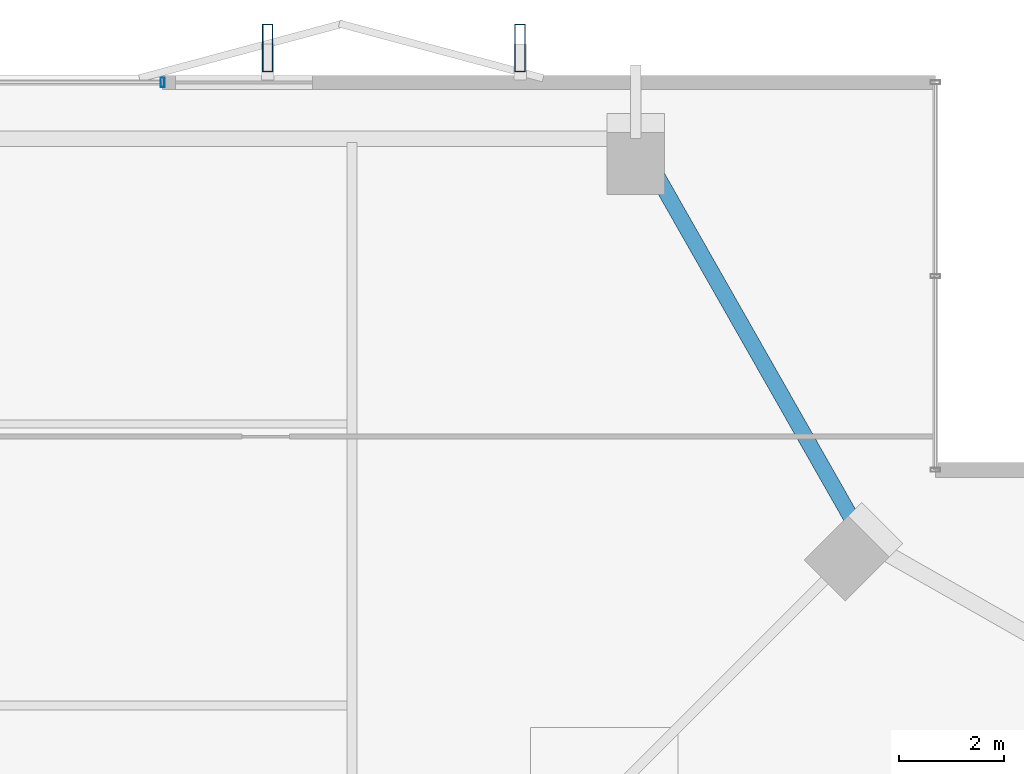
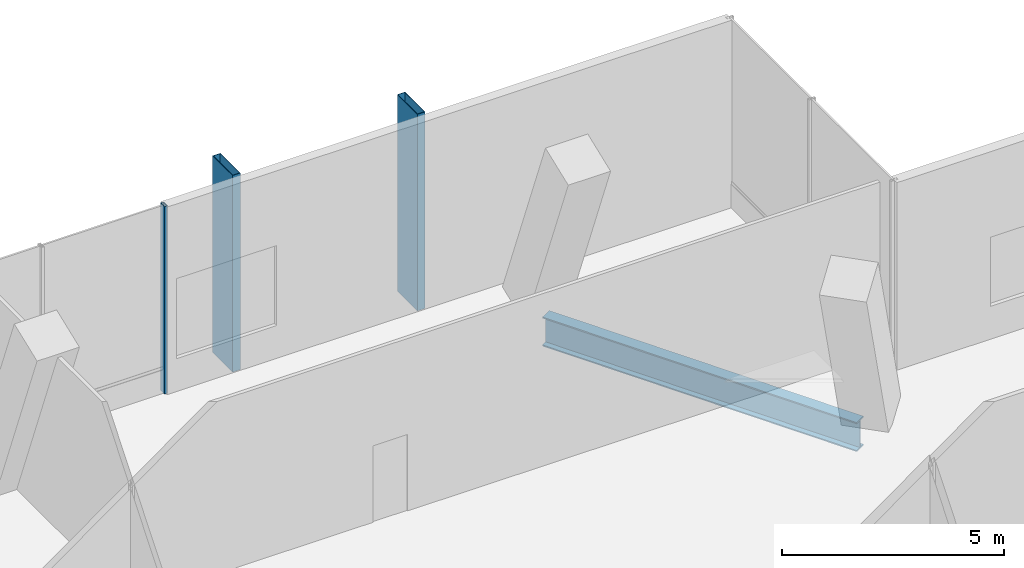
# One storey, part 26 of 33: 3 members, 1 beam, 1 element without a shape of its own.
"""IFC4 building model written with IfcOpenShell, lengths in metres."""

from ifc_helpers import new_model, si_unit, direction, frame, origin, origin_2d, place, context, subcontext, project, spatial, hollow_rectangle, i_section, extrude, material, layer, layer_set, material_profile, profile_set, type_object, element, aggregate, save


model = new_model("IFC4")

# Units and contexts
model_context = context("Model", 3, precision=1e-05, world=origin(), true_north=direction((0.0, 1.0)))
body_context = subcontext(model_context, "Body", "Model", "MODEL_VIEW")
ifc_project = project(units=[si_unit("LENGTHUNIT", "METRE"), si_unit("AREAUNIT", "SQUARE_METRE"), si_unit("VOLUMEUNIT", "CUBIC_METRE"), si_unit("PLANEANGLEUNIT", "RADIAN"), si_unit("MASSUNIT", "GRAM", prefix="KILO")], contexts=[model_context])

# Site, building, storey
site_placement = place(None, origin())
site = spatial("IfcSite", under=ifc_project, at=site_placement, CompositionType="ELEMENT")
building_placement = place(site_placement, origin())
building = spatial("IfcBuilding", under=site, at=building_placement, Name="Belovzor Exchange Tower", CompositionType="ELEMENT")
storey_placement = place(building_placement, frame((0.0, 0.0, 241.199951171875)))
storey = spatial("IfcBuildingStorey", under=building, at=storey_placement, Name="L60", CompositionType="ELEMENT", Elevation=241.199951171875)

# Beam
ifc_material_1 = material(Name="Steel S355", Category="steel")
ifc_material_profile_1 = material_profile(ifc_material_1, i_section(OverallWidth=0.300048828125, OverallDepth=0.800048828125, WebThickness=0.017578125, FlangeThickness=0.032958984375, at=origin_2d()))
ifc_profile_set_1 = profile_set([ifc_material_profile_1], Name="Steel S355")
beam_type = type_object("IfcBeamType", Name="Sky-Lobby Primary Girder HEB 800", PredefinedType="BEAM", material=ifc_profile_set_1)
beam_placement = place(storey_placement, frame((46.800048828125, 47.212890625, -0.64990234375), z_axis=(-0.494222323641, 0.869335547884, 0.0), x_axis=(-0.869335547884, -0.494222323641, 0.0)))
element("IfcBeam", 1, at=beam_placement, inside=storey, type_object=beam_type, Name="SG-1 Sky-Lobby Primary Girder HEB 800", PredefinedType="BEAM", context=body_context, shape_type="SweptSolid", body=[
    extrude(i_section(OverallWidth=0.300048828125, OverallDepth=0.800048828125, WebThickness=0.017578125, FlangeThickness=0.032958984375, at=origin_2d()), origin(), (0.0, 0.0, 1.0), 8.19482421875),
])

# Members
ifc_material_2 = material(Name="Extruded Architectural Terracotta on Steel S355 Carrier", Category="masonry")
ifc_material_profile_2 = material_profile(ifc_material_2, hollow_rectangle(XDim=0.199951171875, YDim=0.89990234375, WallThickness=0.011962890625, at=origin_2d()))
ifc_profile_set_2 = profile_set([ifc_material_profile_2], Name="Extruded Architectural Terracotta on Steel S355 Carrier")
member_type_1 = type_object("IfcMemberType", Name="Sweeping Terracotta Baguette Fin Assembly 950", PredefinedType="USERDEFINED", material=ifc_profile_set_2)
for number, where, z_axis, x_axis, name in (
    (2, (35.60009765625, 56.324951171875, -0.25), (0.0, 0.0, 1.0), (1.0, 0.0, 0.0), "FIN-TC095 Terracotta Facade Fin L60 N3"),
    (3, (40.39990234375, 56.324951171875, -0.25), (0.0, 0.0, 1.0), (1.0, 0.0, 0.0), "FIN-TC095 Terracotta Facade Fin L60 N4"),
):
    element("IfcMember", number, at=place(storey_placement, frame(where, z_axis=z_axis, x_axis=x_axis)), inside=storey, type_object=member_type_1, Name=name, ObjectType="FIN", PredefinedType="USERDEFINED", context=body_context, shape_type="SweptSolid", body=[
        extrude(hollow_rectangle(XDim=0.199951171875, YDim=0.89990234375, WallThickness=0.011962890625, at=origin_2d()), origin(), (0.0, 0.0, 1.0), 5.400146484375),
    ])

# Curtain wall, member
ifc_material_3 = material(Name="Anodised Aluminium Framing", Category="aluminium")
ifc_layer = layer(ifc_material_3, 0.239990234375)
ifc_layer_set = layer_set([ifc_layer], Name="Anodised Aluminium Framing")
curtain_wall_type = type_object("IfcCurtainWallType", Name="Sky-Lobby Double-Skin Acoustic Curtain Wall", PredefinedType="NOTDEFINED", material=ifc_layer_set)
curtain_wall_placement = place(storey_placement, origin())
curtain_wall = element("IfcCurtainWall", 4, at=curtain_wall_placement, inside=storey, type_object=curtain_wall_type, Name="CW4 Sky-Lobby Double-Skin Acoustic Curtain Wall L60", PredefinedType="NOTDEFINED")
ifc_material_4 = material(Name="Steel S355", Category="steel")
ifc_material_profile_3 = material_profile(ifc_material_4, hollow_rectangle(XDim=0.074951171875, YDim=0.179931640625, WallThickness=0.0048828125, at=origin_2d()))
ifc_profile_set_3 = profile_set([ifc_material_profile_3], Name="Steel S355")
member_type_2 = type_object("IfcMemberType", Name="Thermally Broken Curtain Wall Mullion 180x75", PredefinedType="MULLION", material=ifc_profile_set_3)
member_placement = place(storey_placement, frame((33.60009765625, 55.669921875, 0.0), z_axis=(0.0, 0.0, 1.0), x_axis=(1.0, 0.0, 0.0)))
member = element("IfcMember", 5, at=member_placement, type_object=member_type_2, Name="CW-M180 Curtain Wall Mullion 4", PredefinedType="MULLION", context=body_context, shape_type="SweptSolid", body=[
    extrude(hollow_rectangle(XDim=0.074951171875, YDim=0.179931640625, WallThickness=0.0048828125, at=origin_2d()), origin(), (0.0, 0.0, 1.0), 5.150146484375),
])
aggregate(curtain_wall, [member])

save(model, "model.ifc")
